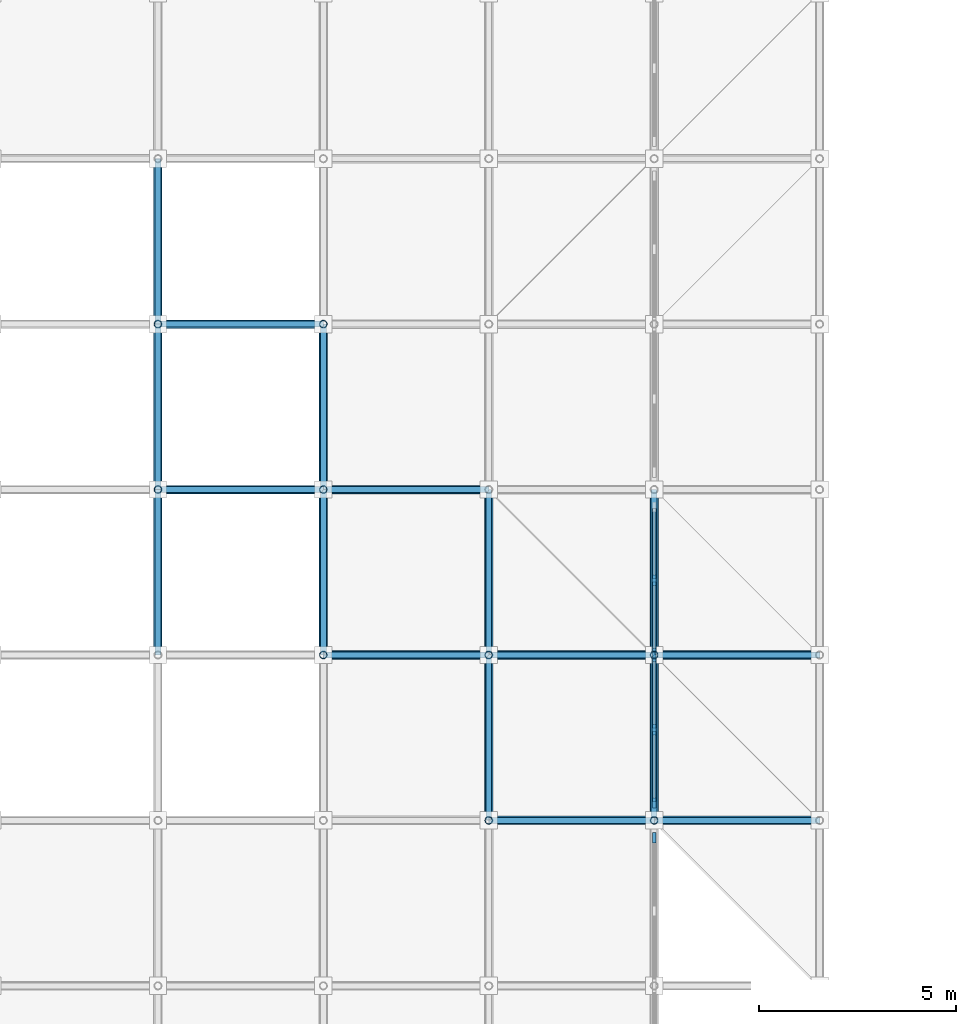
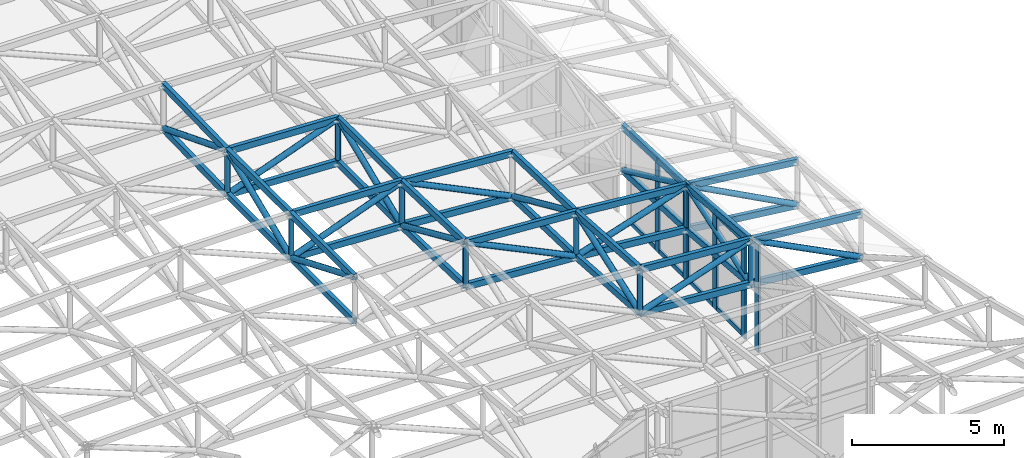
# One storey, part 24 of 132: 74 members, 3 elements without a shape of their own.
"""IFC4 building model written with IfcOpenShell, lengths in metres."""

from ifc_helpers import new_model, si_unit, direction, frame, origin, origin_2d, place, context, subcontext, project, spatial, rectangle, hollow_rectangle, hollow_circle, extrude, material, material_profile, profile_set, type_object, element, aggregate, save


model = new_model("IFC4")

# Units and contexts
model_context = context("Model", 3, precision=1e-05, world=origin(), true_north=direction((0.0, 1.0)))
body_context = subcontext(model_context, "Body", "Model", "MODEL_VIEW")
ifc_project = project(units=[si_unit("LENGTHUNIT", "METRE"), si_unit("AREAUNIT", "SQUARE_METRE"), si_unit("VOLUMEUNIT", "CUBIC_METRE"), si_unit("PLANEANGLEUNIT", "RADIAN"), si_unit("MASSUNIT", "GRAM", prefix="KILO")], contexts=[model_context])

# Site, building, storey
site_placement = place(None, origin())
site = spatial("IfcSite", under=ifc_project, at=site_placement, CompositionType="ELEMENT")
building_placement = place(site_placement, origin())
building = spatial("IfcBuilding", under=site, at=building_placement, Name="Cumbredor Promenade Congress Hotel", CompositionType="ELEMENT")
storey_placement = place(building_placement, frame((0.0, 0.0, 7.56005859375)))
storey = spatial("IfcBuildingStorey", under=building, at=storey_placement, Name="L02", CompositionType="ELEMENT", Elevation=7.56005859375)

# Curtain wall, member
ifc_material_1 = material(Name="Thermally broken anodized aluminium and low-E glass", Category="aluminium")
curtain_wall_type = type_object("IfcCurtainWallType", Name="Stepped Pavilion Clerestory Curtain Wall CW-06", PredefinedType="NOTDEFINED", material=ifc_material_1)
curtain_wall_1_placement = place(storey_placement, origin())
curtain_wall_1 = element("IfcCurtainWall", 1, at=curtain_wall_1_placement, inside=storey, type_object=curtain_wall_type, Name="Thermal Spa and Hydrotherapy Pavilion E Glazed Clerestory 2", PredefinedType="NOTDEFINED")
ifc_material_2 = material(Name="Thermally broken anodized aluminium", Category="aluminium")
ifc_material_profile_1 = material_profile(ifc_material_2, rectangle(XDim=0.0849609375, YDim=0.260009765625, at=origin_2d()), Name="ALU MULLION CLERESTORY 85x260")
ifc_profile_set_1 = profile_set([ifc_material_profile_1], Name="Thermally broken anodized aluminium")
member_type_1 = type_object("IfcMemberType", Name="Curtain Wall Mullion ML-04", PredefinedType="MULLION", material=ifc_profile_set_1)
member_1_placement = place(storey_placement, frame((109.199951171875, 16.360107421875, -0.01806640625), z_axis=(0.0, 0.0, 1.0), x_axis=(1.0, 0.0, 0.0)))
member_1 = element("IfcMember", 2, at=member_1_placement, type_object=member_type_1, Name="Thermal Spa and Hydrotherapy Pavilion E Glazed Clerestory 2 Mullion 3", PredefinedType="MULLION", context=body_context, shape_type="SweptSolid", body=[
    extrude(rectangle(XDim=0.0849609375, YDim=0.260009765625, at=origin_2d()), origin(), (0.0, 0.0, 1.0), 4.318359375),
])
aggregate(curtain_wall_1, [member_1])

# Curtain wall, members
curtain_wall_2_placement = place(storey_placement, origin())
curtain_wall_2 = element("IfcCurtainWall", 3, at=curtain_wall_2_placement, inside=storey, type_object=curtain_wall_type, Name="Thermal Spa and Hydrotherapy Pavilion E Glazed Clerestory 3", PredefinedType="NOTDEFINED")
member_2_placement = place(storey_placement, frame((109.199951171875, 17.239990234375, -0.01806640625), z_axis=(0.0, 0.0, 1.0), x_axis=(1.0, 0.0, 0.0)))
member_2 = element("IfcMember", 4, at=member_2_placement, type_object=member_type_1, Name="Thermal Spa and Hydrotherapy Pavilion E Glazed Clerestory 3 Mullion 1", PredefinedType="MULLION", context=body_context, shape_type="SweptSolid", body=[
    extrude(rectangle(XDim=0.0849609375, YDim=0.260009765625, at=origin_2d()), origin(), (0.0, 0.0, 1.0), 3.966552734375),
])
member_3_placement = place(storey_placement, frame((109.199951171875, 19.10009765625, -0.01806640625), z_axis=(0.0, 0.0, 1.0), x_axis=(1.0, 0.0, 0.0)))
member_3 = element("IfcMember", 5, at=member_3_placement, type_object=member_type_1, Name="Thermal Spa and Hydrotherapy Pavilion E Glazed Clerestory 3 Mullion 2", PredefinedType="MULLION", context=body_context, shape_type="SweptSolid", body=[
    extrude(rectangle(XDim=0.0849609375, YDim=0.260009765625, at=origin_2d()), origin(), (0.0, 0.0, 1.0), 3.966552734375),
])
member_4_placement = place(storey_placement, frame((109.199951171875, 20.9599609375, -0.01806640625), z_axis=(0.0, 0.0, 1.0), x_axis=(1.0, 0.0, 0.0)))
member_4 = element("IfcMember", 6, at=member_4_placement, type_object=member_type_1, Name="Thermal Spa and Hydrotherapy Pavilion E Glazed Clerestory 3 Mullion 3", PredefinedType="MULLION", context=body_context, shape_type="SweptSolid", body=[
    extrude(rectangle(XDim=0.0849609375, YDim=0.260009765625, at=origin_2d()), origin(), (0.0, 0.0, 1.0), 3.966552734375),
])

curtain_wall_3_placement = place(storey_placement, origin())
curtain_wall_3 = element("IfcCurtainWall", 7, at=curtain_wall_3_placement, inside=storey, type_object=curtain_wall_type, Name="Thermal Spa and Hydrotherapy Pavilion E Glazed Clerestory 4", PredefinedType="NOTDEFINED")
member_5_placement = place(storey_placement, frame((109.199951171875, 21.0400390625, -0.01806640625), z_axis=(0.0, 0.0, 1.0), x_axis=(1.0, 0.0, 0.0)))
member_5 = element("IfcMember", 8, at=member_5_placement, type_object=member_type_1, Name="Thermal Spa and Hydrotherapy Pavilion E Glazed Clerestory 4 Mullion 1", PredefinedType="MULLION", context=body_context, shape_type="SweptSolid", body=[
    extrude(rectangle(XDim=0.0849609375, YDim=0.260009765625, at=origin_2d()), origin(), (0.0, 0.0, 1.0), 3.790771484375),
])
member_6_placement = place(storey_placement, frame((109.199951171875, 22.89990234375, -0.01806640625), z_axis=(0.0, 0.0, 1.0), x_axis=(1.0, 0.0, 0.0)))
member_6 = element("IfcMember", 9, at=member_6_placement, type_object=member_type_1, Name="Thermal Spa and Hydrotherapy Pavilion E Glazed Clerestory 4 Mullion 2", PredefinedType="MULLION", context=body_context, shape_type="SweptSolid", body=[
    extrude(rectangle(XDim=0.0849609375, YDim=0.260009765625, at=origin_2d()), origin(), (0.0, 0.0, 1.0), 3.790771484375),
])

# Member
ifc_material_profile_2 = material_profile(ifc_material_2, rectangle(XDim=0.080078125, YDim=0.179931640625, at=origin_2d()), Name="ALU TRANSOM 80x180")
ifc_profile_set_2 = profile_set([ifc_material_profile_2], Name="Thermally broken anodized aluminium")
member_type_2 = type_object("IfcMemberType", Name="Curtain Wall Transom TR-03", PredefinedType="USERDEFINED", material=ifc_profile_set_2)
member_7_placement = place(storey_placement, frame((109.199951171875, 17.282470703125, 0.079833984375), z_axis=(0.0, 1.0, 0.0), x_axis=(-1.0, 0.0, 0.0)))
member_7 = element("IfcMember", 10, at=member_7_placement, type_object=member_type_2, Name="Thermal Spa and Hydrotherapy Pavilion E Glazed Clerestory 3 Transom 1.1", ObjectType="TRANSOM", PredefinedType="USERDEFINED", context=body_context, shape_type="SweptSolid", body=[
    extrude(rectangle(XDim=0.080078125, YDim=0.179931640625, at=origin_2d()), origin(), (0.0, 0.0, 1.0), 1.775146484375),
])

member_8_placement = place(storey_placement, frame((109.199951171875, 17.282470703125, 3.849853515625), z_axis=(0.0, 1.0, 0.0), x_axis=(-1.0, 0.0, 0.0)))
member_8 = element("IfcMember", 11, at=member_8_placement, type_object=member_type_2, Name="Thermal Spa and Hydrotherapy Pavilion E Glazed Clerestory 3 Transom 1.2", ObjectType="TRANSOM", PredefinedType="USERDEFINED", context=body_context, shape_type="SweptSolid", body=[
    extrude(rectangle(XDim=0.080078125, YDim=0.179931640625, at=origin_2d()), origin(), (0.0, 0.0, 1.0), 1.775146484375),
])

member_9_placement = place(storey_placement, frame((109.199951171875, 19.142578125, 0.079833984375), z_axis=(0.0, 1.0, 0.0), x_axis=(-1.0, 0.0, 0.0)))
member_9 = element("IfcMember", 12, at=member_9_placement, type_object=member_type_2, Name="Thermal Spa and Hydrotherapy Pavilion E Glazed Clerestory 3 Transom 2.1", ObjectType="TRANSOM", PredefinedType="USERDEFINED", context=body_context, shape_type="SweptSolid", body=[
    extrude(rectangle(XDim=0.080078125, YDim=0.179931640625, at=origin_2d()), origin(), (0.0, 0.0, 1.0), 1.77490234375),
])

member_10_placement = place(storey_placement, frame((109.199951171875, 19.142578125, 3.849853515625), z_axis=(0.0, 1.0, 0.0), x_axis=(-1.0, 0.0, 0.0)))
member_10 = element("IfcMember", 13, at=member_10_placement, type_object=member_type_2, Name="Thermal Spa and Hydrotherapy Pavilion E Glazed Clerestory 3 Transom 2.2", ObjectType="TRANSOM", PredefinedType="USERDEFINED", context=body_context, shape_type="SweptSolid", body=[
    extrude(rectangle(XDim=0.080078125, YDim=0.179931640625, at=origin_2d()), origin(), (0.0, 0.0, 1.0), 1.77490234375),
])

aggregate(curtain_wall_2, [member_2, member_3, member_4, member_7, member_8, member_9, member_10])

member_11_placement = place(storey_placement, frame((109.199951171875, 21.08251953125, 0.079833984375), z_axis=(0.0, 1.0, 0.0), x_axis=(-1.0, 0.0, 0.0)))
member_11 = element("IfcMember", 14, at=member_11_placement, type_object=member_type_2, Name="Thermal Spa and Hydrotherapy Pavilion E Glazed Clerestory 4 Transom 1.1", ObjectType="TRANSOM", PredefinedType="USERDEFINED", context=body_context, shape_type="SweptSolid", body=[
    extrude(rectangle(XDim=0.080078125, YDim=0.179931640625, at=origin_2d()), origin(), (0.0, 0.0, 1.0), 1.77490234375),
])

member_12_placement = place(storey_placement, frame((109.199951171875, 21.08251953125, 3.669921875), z_axis=(0.0, 1.0, 0.0), x_axis=(-1.0, 0.0, 0.0)))
member_12 = element("IfcMember", 15, at=member_12_placement, type_object=member_type_2, Name="Thermal Spa and Hydrotherapy Pavilion E Glazed Clerestory 4 Transom 1.2", ObjectType="TRANSOM", PredefinedType="USERDEFINED", context=body_context, shape_type="SweptSolid", body=[
    extrude(rectangle(XDim=0.080078125, YDim=0.179931640625, at=origin_2d()), origin(), (0.0, 0.0, 1.0), 1.77490234375),
])

member_13_placement = place(storey_placement, frame((109.199951171875, 22.9423828125, 0.079833984375), z_axis=(0.0, 1.0, 0.0), x_axis=(-1.0, 0.0, 0.0)))
member_13 = element("IfcMember", 16, at=member_13_placement, type_object=member_type_2, Name="Thermal Spa and Hydrotherapy Pavilion E Glazed Clerestory 4 Transom 2.1", ObjectType="TRANSOM", PredefinedType="USERDEFINED", context=body_context, shape_type="SweptSolid", body=[
    extrude(rectangle(XDim=0.080078125, YDim=0.179931640625, at=origin_2d()), origin(), (0.0, 0.0, 1.0), 1.775146484375),
])

member_14_placement = place(storey_placement, frame((109.199951171875, 22.9423828125, 3.669921875), z_axis=(0.0, 1.0, 0.0), x_axis=(-1.0, 0.0, 0.0)))
member_14 = element("IfcMember", 17, at=member_14_placement, type_object=member_type_2, Name="Thermal Spa and Hydrotherapy Pavilion E Glazed Clerestory 4 Transom 2.2", ObjectType="TRANSOM", PredefinedType="USERDEFINED", context=body_context, shape_type="SweptSolid", body=[
    extrude(rectangle(XDim=0.080078125, YDim=0.179931640625, at=origin_2d()), origin(), (0.0, 0.0, 1.0), 1.775146484375),
])

aggregate(curtain_wall_3, [member_5, member_6, member_11, member_12, member_13, member_14])

# Members
ifc_material_3 = material(Name="Steel ASTM A500 Grade C", Category="steel")
ifc_material_profile_3 = material_profile(ifc_material_3, hollow_rectangle(XDim=0.14990234375, YDim=0.25, WallThickness=0.012451171875, at=origin_2d()), Name="HSS 250x150x12.5")
ifc_profile_set_3 = profile_set([ifc_material_profile_3], Name="Steel ASTM A500 Grade C")
member_type_3 = type_object("IfcMemberType", Name="Spa Roof Space Frame Chord", PredefinedType="CHORD", material=ifc_profile_set_3)
for number, where, z_axis, x_axis, name in (
    (18, (105.0, 16.800048828125, 4.458984375), (0.997294578596, 0.0, -0.073508662772), (0.0, 1.0, 0.0), "Thermal Spa and Hydrotherapy Pavilion X Top Chord 9.5"),
    (19, (105.0, 16.800048828125, 2.708984375), (0.997294578596, 0.0, -0.073508662772), (0.0, 1.0, 0.0), "Thermal Spa and Hydrotherapy Pavilion X Bottom Chord 9.5"),
):
    element("IfcMember", number, at=place(storey_placement, frame(where, z_axis=z_axis, x_axis=x_axis)), inside=storey, type_object=member_type_3, Name=name, PredefinedType="CHORD", context=body_context, shape_type="SweptSolid", body=[
        extrude(hollow_rectangle(XDim=0.14990234375, YDim=0.25, WallThickness=0.012451171875, at=origin_2d()), origin(), (0.0, 0.0, 1.0), 4.21142578125),
    ])
for number, where, z_axis, x_axis, name in (
    (20, (109.199951171875, 16.800048828125, 4.1494140625), (0.99557909429, 0.0, -0.093926923794), (0.0, 1.0, 0.0), "Thermal Spa and Hydrotherapy Pavilion X Top Chord 10.5"),
    (21, (109.199951171875, 16.800048828125, 2.3994140625), (0.99557909429, 0.0, -0.093926923794), (0.0, 1.0, 0.0), "Thermal Spa and Hydrotherapy Pavilion X Bottom Chord 10.5"),
):
    element("IfcMember", number, at=place(storey_placement, frame(where, z_axis=z_axis, x_axis=x_axis)), inside=storey, type_object=member_type_3, Name=name, PredefinedType="CHORD", context=body_context, shape_type="SweptSolid", body=[
        extrude(hollow_rectangle(XDim=0.14990234375, YDim=0.25, WallThickness=0.012451171875, at=origin_2d()), origin(), (0.0, 0.0, 1.0), 4.218505859375),
    ])
for number, where, z_axis, x_axis, name in (
    (22, (100.800048828125, 21.0, 4.450439453125), (0.997906149499, 0.0, -0.064678565174), (0.0, 1.0, 0.0), "Thermal Spa and Hydrotherapy Pavilion X Top Chord 8.6"),
    (23, (100.800048828125, 21.0, 2.700439453125), (0.997906149499, 0.0, -0.064678565174), (0.0, 1.0, 0.0), "Thermal Spa and Hydrotherapy Pavilion X Bottom Chord 8.6"),
):
    element("IfcMember", number, at=place(storey_placement, frame(where, z_axis=z_axis, x_axis=x_axis)), inside=storey, type_object=member_type_3, Name=name, PredefinedType="CHORD", context=body_context, shape_type="SweptSolid", body=[
        extrude(hollow_rectangle(XDim=0.14990234375, YDim=0.25, WallThickness=0.012451171875, at=origin_2d()), origin(), (0.0, 0.0, 1.0), 4.208740234375),
    ])
for number, where, z_axis, x_axis, name in (
    (24, (105.0, 21.0, 4.17822265625), (0.995913585681, 0.0, -0.090311294173), (0.0, 1.0, 0.0), "Thermal Spa and Hydrotherapy Pavilion X Top Chord 9.6"),
    (25, (105.0, 21.0, 2.42822265625), (0.995913585681, 0.0, -0.090311294173), (0.0, 1.0, 0.0), "Thermal Spa and Hydrotherapy Pavilion X Bottom Chord 9.6"),
):
    element("IfcMember", number, at=place(storey_placement, frame(where, z_axis=z_axis, x_axis=x_axis)), inside=storey, type_object=member_type_3, Name=name, PredefinedType="CHORD", context=body_context, shape_type="SweptSolid", body=[
        extrude(hollow_rectangle(XDim=0.14990234375, YDim=0.25, WallThickness=0.012451171875, at=origin_2d()), origin(), (0.0, 0.0, 1.0), 4.21728515625),
    ])
for number, where, z_axis, x_axis, name in (
    (26, (109.199951171875, 21.0, 3.79736328125), (0.993316312683, 0.0, -0.11542401378), (0.0, 1.0, 0.0), "Thermal Spa and Hydrotherapy Pavilion X Top Chord 10.6"),
    (27, (109.199951171875, 21.0, 2.04736328125), (0.993316312683, 0.0, -0.11542401378), (0.0, 1.0, 0.0), "Thermal Spa and Hydrotherapy Pavilion X Bottom Chord 10.6"),
):
    element("IfcMember", number, at=place(storey_placement, frame(where, z_axis=z_axis, x_axis=x_axis)), inside=storey, type_object=member_type_3, Name=name, PredefinedType="CHORD", context=body_context, shape_type="SweptSolid", body=[
        extrude(hollow_rectangle(XDim=0.14990234375, YDim=0.25, WallThickness=0.012451171875, at=origin_2d()), origin(), (0.0, 0.0, 1.0), 4.228271484375),
    ])
for number, where, z_axis, x_axis, name in (
    (28, (96.60009765625, 25.199951171875, 4.51416015625), (0.999098410723, 0.0, -0.04245427764), (0.0, 1.0, 0.0), "Thermal Spa and Hydrotherapy Pavilion X Top Chord 7.7"),
    (29, (96.60009765625, 25.199951171875, 2.76416015625), (0.999098410723, 0.0, -0.04245427764), (0.0, 1.0, 0.0), "Thermal Spa and Hydrotherapy Pavilion X Bottom Chord 7.7"),
):
    element("IfcMember", number, at=place(storey_placement, frame(where, z_axis=z_axis, x_axis=x_axis)), inside=storey, type_object=member_type_3, Name=name, PredefinedType="CHORD", context=body_context, shape_type="SweptSolid", body=[
        extrude(hollow_rectangle(XDim=0.14990234375, YDim=0.25, WallThickness=0.012451171875, at=origin_2d()), origin(), (0.0, 0.0, 1.0), 4.203857421875),
    ])
for number, where, z_axis, x_axis, name in (
    (30, (100.800048828125, 25.199951171875, 4.335693359375), (0.997498863978, 0.0, -0.070682503935), (0.0, 1.0, 0.0), "Thermal Spa and Hydrotherapy Pavilion X Top Chord 8.7"),
    (31, (100.800048828125, 25.199951171875, 2.585693359375), (0.997498863978, 0.0, -0.070682503935), (0.0, 1.0, 0.0), "Thermal Spa and Hydrotherapy Pavilion X Bottom Chord 8.7"),
):
    element("IfcMember", number, at=place(storey_placement, frame(where, z_axis=z_axis, x_axis=x_axis)), inside=storey, type_object=member_type_3, Name=name, PredefinedType="CHORD", context=body_context, shape_type="SweptSolid", body=[
        extrude(hollow_rectangle(XDim=0.14990234375, YDim=0.25, WallThickness=0.012451171875, at=origin_2d()), origin(), (0.0, 0.0, 1.0), 4.21044921875),
    ])
for number, where, z_axis, x_axis, name in (
    (32, (96.60009765625, 29.39990234375, 4.51416015625), (0.999098410723, 0.0, -0.04245427764), (0.0, 1.0, 0.0), "Thermal Spa and Hydrotherapy Pavilion X Top Chord 7.8"),
    (33, (96.60009765625, 29.39990234375, 2.76416015625), (0.999098410723, 0.0, -0.04245427764), (0.0, 1.0, 0.0), "Thermal Spa and Hydrotherapy Pavilion X Bottom Chord 7.8"),
):
    element("IfcMember", number, at=place(storey_placement, frame(where, z_axis=z_axis, x_axis=x_axis)), inside=storey, type_object=member_type_3, Name=name, PredefinedType="CHORD", context=body_context, shape_type="SweptSolid", body=[
        extrude(hollow_rectangle(XDim=0.14990234375, YDim=0.25, WallThickness=0.012451171875, at=origin_2d()), origin(), (0.0, 0.0, 1.0), 4.203857421875),
    ])
for number, where, z_axis, x_axis, name in (
    (34, (96.60009765625, 21.0, 4.513671875), (0.0, 0.999999993242, 0.000116258791), (-1.0, 0.0, 0.0), "Thermal Spa and Hydrotherapy Pavilion Y Top Chord 7.6"),
    (35, (96.60009765625, 21.0, 2.763671875), (0.0, 0.999999993242, 0.000116258791), (-1.0, 0.0, 0.0), "Thermal Spa and Hydrotherapy Pavilion Y Bottom Chord 7.6"),
    (36, (96.60009765625, 25.199951171875, 4.51416015625), (0.0, 1.0, 0.0), (-1.0, 0.0, 0.0), "Thermal Spa and Hydrotherapy Pavilion Y Top Chord 7.7"),
    (37, (96.60009765625, 25.199951171875, 2.76416015625), (0.0, 1.0, 0.0), (-1.0, 0.0, 0.0), "Thermal Spa and Hydrotherapy Pavilion Y Bottom Chord 7.7"),
):
    element("IfcMember", number, at=place(storey_placement, frame(where, z_axis=z_axis, x_axis=x_axis)), inside=storey, type_object=member_type_3, Name=name, PredefinedType="CHORD", context=body_context, shape_type="SweptSolid", body=[
        extrude(hollow_rectangle(XDim=0.14990234375, YDim=0.25, WallThickness=0.012451171875, at=origin_2d()), origin(), (0.0, 0.0, 1.0), 4.199951171875),
    ])
for number, where, z_axis, x_axis, name in (
    (38, (96.60009765625, 29.39990234375, 4.51416015625), (0.0, 0.999720283744, 0.023650671674), (-1.0, 0.0, 0.0), "Thermal Spa and Hydrotherapy Pavilion Y Top Chord 7.8"),
    (39, (96.60009765625, 29.39990234375, 2.76416015625), (0.0, 0.999720283744, 0.023650671674), (-1.0, 0.0, 0.0), "Thermal Spa and Hydrotherapy Pavilion Y Bottom Chord 7.8"),
    (40, (100.800048828125, 21.0, 4.450439453125), (0.0, 0.999626995305, -0.027310625344), (-1.0, 0.0, 0.0), "Thermal Spa and Hydrotherapy Pavilion Y Top Chord 8.6"),
    (41, (100.800048828125, 21.0, 2.700439453125), (0.0, 0.999626995305, -0.027310625344), (-1.0, 0.0, 0.0), "Thermal Spa and Hydrotherapy Pavilion Y Bottom Chord 8.6"),
):
    element("IfcMember", number, at=place(storey_placement, frame(where, z_axis=z_axis, x_axis=x_axis)), inside=storey, type_object=member_type_3, Name=name, PredefinedType="CHORD", context=body_context, shape_type="SweptSolid", body=[
        extrude(hollow_rectangle(XDim=0.14990234375, YDim=0.25, WallThickness=0.012451171875, at=origin_2d()), origin(), (0.0, 0.0, 1.0), 4.201416015625),
    ])
for number, where, z_axis, x_axis, name in (
    (42, (100.800048828125, 25.199951171875, 4.335693359375), (0.0, 1.0, 0.0), (-1.0, 0.0, 0.0), "Thermal Spa and Hydrotherapy Pavilion Y Top Chord 8.7"),
    (43, (100.800048828125, 25.199951171875, 2.585693359375), (0.0, 1.0, 0.0), (-1.0, 0.0, 0.0), "Thermal Spa and Hydrotherapy Pavilion Y Bottom Chord 8.7"),
):
    element("IfcMember", number, at=place(storey_placement, frame(where, z_axis=z_axis, x_axis=x_axis)), inside=storey, type_object=member_type_3, Name=name, PredefinedType="CHORD", context=body_context, shape_type="SweptSolid", body=[
        extrude(hollow_rectangle(XDim=0.14990234375, YDim=0.25, WallThickness=0.012451171875, at=origin_2d()), origin(), (0.0, 0.0, 1.0), 4.199951171875),
    ])
for number, where, z_axis, x_axis, name in (
    (44, (105.0, 16.800048828125, 4.458984375), (0.0, 0.997773079517, -0.066699938467), (-1.0, 0.0, 0.0), "Thermal Spa and Hydrotherapy Pavilion Y Top Chord 9.5"),
    (45, (105.0, 16.800048828125, 2.708984375), (0.0, 0.997773079517, -0.066699938467), (-1.0, 0.0, 0.0), "Thermal Spa and Hydrotherapy Pavilion Y Bottom Chord 9.5"),
):
    element("IfcMember", number, at=place(storey_placement, frame(where, z_axis=z_axis, x_axis=x_axis)), inside=storey, type_object=member_type_3, Name=name, PredefinedType="CHORD", context=body_context, shape_type="SweptSolid", body=[
        extrude(hollow_rectangle(XDim=0.14990234375, YDim=0.25, WallThickness=0.012451171875, at=origin_2d()), origin(), (0.0, 0.0, 1.0), 4.209228515625),
    ])
for number, where, z_axis, x_axis, name in (
    (46, (105.0, 21.0, 4.17822265625), (0.0, 0.999443810267, -0.033347715346), (-1.0, 0.0, 0.0), "Thermal Spa and Hydrotherapy Pavilion Y Top Chord 9.6"),
    (47, (105.0, 21.0, 2.42822265625), (0.0, 0.999443810267, -0.033347715346), (-1.0, 0.0, 0.0), "Thermal Spa and Hydrotherapy Pavilion Y Bottom Chord 9.6"),
):
    element("IfcMember", number, at=place(storey_placement, frame(where, z_axis=z_axis, x_axis=x_axis)), inside=storey, type_object=member_type_3, Name=name, PredefinedType="CHORD", context=body_context, shape_type="SweptSolid", body=[
        extrude(hollow_rectangle(XDim=0.14990234375, YDim=0.25, WallThickness=0.012451171875, at=origin_2d()), origin(), (0.0, 0.0, 1.0), 4.202392578125),
    ])
for number, where, z_axis, x_axis, name in (
    (48, (109.199951171875, 16.800048828125, 4.1494140625), (0.0, 0.996505291992, -0.08352965361), (-1.0, 0.0, 0.0), "Thermal Spa and Hydrotherapy Pavilion Y Top Chord 10.5"),
    (49, (109.199951171875, 16.800048828125, 2.3994140625), (0.0, 0.996505291992, -0.08352965361), (-1.0, 0.0, 0.0), "Thermal Spa and Hydrotherapy Pavilion Y Bottom Chord 10.5"),
):
    element("IfcMember", number, at=place(storey_placement, frame(where, z_axis=z_axis, x_axis=x_axis)), inside=storey, type_object=member_type_3, Name=name, PredefinedType="CHORD", context=body_context, shape_type="SweptSolid", body=[
        extrude(hollow_rectangle(XDim=0.14990234375, YDim=0.25, WallThickness=0.012451171875, at=origin_2d()), origin(), (0.0, 0.0, 1.0), 4.214599609375),
    ])
for number, where, z_axis, x_axis, name in (
    (50, (109.199951171875, 21.0, 3.79736328125), (0.0, 0.999127730104, -0.041758579198), (-1.0, 0.0, 0.0), "Thermal Spa and Hydrotherapy Pavilion Y Top Chord 10.6"),
    (51, (109.199951171875, 21.0, 2.04736328125), (0.0, 0.999127730104, -0.041758579198), (-1.0, 0.0, 0.0), "Thermal Spa and Hydrotherapy Pavilion Y Bottom Chord 10.6"),
):
    element("IfcMember", number, at=place(storey_placement, frame(where, z_axis=z_axis, x_axis=x_axis)), inside=storey, type_object=member_type_3, Name=name, PredefinedType="CHORD", context=body_context, shape_type="SweptSolid", body=[
        extrude(hollow_rectangle(XDim=0.14990234375, YDim=0.25, WallThickness=0.012451171875, at=origin_2d()), origin(), (0.0, 0.0, 1.0), 4.20361328125),
    ])
ifc_material_profile_4 = material_profile(ifc_material_3, hollow_circle(Radius=0.109619140625, WallThickness=0.012451171875, at=origin_2d()), Name="CHS 219.1x12.5")
ifc_profile_set_4 = profile_set([ifc_material_profile_4], Name="Steel ASTM A500 Grade C")
member_type_4 = type_object("IfcMemberType", Name="Space Frame Web Diagonal D1", PredefinedType="BRACE", material=ifc_profile_set_4)
member_15_placement = place(storey_placement, frame((105.0, 16.800048828125, 2.708984375), z_axis=(0.945915095178, 0.0, 0.324414291784), x_axis=(0.0, 1.0, 0.0)))
element("IfcMember", 52, at=member_15_placement, inside=storey, type_object=member_type_4, Name="Thermal Spa and Hydrotherapy Pavilion X Web Diagonal 9.5", PredefinedType="BRACE", context=body_context, shape_type="SweptSolid", body=[
    extrude(hollow_circle(Radius=0.109619140625, WallThickness=0.012451171875, at=origin_2d()), origin(), (0.0, 0.0, 1.0), 4.440185546875),
])
member_16_placement = place(storey_placement, frame((109.199951171875, 16.800048828125, 4.1494140625), z_axis=(0.890469174417, 0.0, -0.455043568697), x_axis=(0.0, 1.0, 0.0)))
element("IfcMember", 53, at=member_16_placement, inside=storey, type_object=member_type_4, Name="Thermal Spa and Hydrotherapy Pavilion X Web Diagonal 10.5", PredefinedType="BRACE", context=body_context, shape_type="SweptSolid", body=[
    extrude(hollow_circle(Radius=0.109619140625, WallThickness=0.012451171875, at=origin_2d()), origin(), (0.0, 0.0, 1.0), 4.716552734375),
])
member_17_placement = place(storey_placement, frame((100.800048828125, 21.0, 4.450439453125), z_axis=(0.90100015334, 0.0, -0.433818768245), x_axis=(0.0, 1.0, 0.0)))
element("IfcMember", 54, at=member_17_placement, inside=storey, type_object=member_type_4, Name="Thermal Spa and Hydrotherapy Pavilion X Web Diagonal 8.6", PredefinedType="BRACE", context=body_context, shape_type="SweptSolid", body=[
    extrude(hollow_circle(Radius=0.109619140625, WallThickness=0.012451171875, at=origin_2d()), origin(), (0.0, 0.0, 1.0), 4.661376953125),
])
member_18_placement = place(storey_placement, frame((105.0, 21.0, 2.42822265625), z_axis=(0.950757103344, 0.0, 0.309936978176), x_axis=(0.0, 1.0, 0.0)))
element("IfcMember", 55, at=member_18_placement, inside=storey, type_object=member_type_4, Name="Thermal Spa and Hydrotherapy Pavilion X Web Diagonal 9.6", PredefinedType="BRACE", context=body_context, shape_type="SweptSolid", body=[
    extrude(hollow_circle(Radius=0.109619140625, WallThickness=0.012451171875, at=origin_2d()), origin(), (0.0, 0.0, 1.0), 4.41748046875),
])
member_19_placement = place(storey_placement, frame((109.199951171875, 21.0, 3.79736328125), z_axis=(0.882521874047, 0.0, -0.470271349148), x_axis=(0.0, 1.0, 0.0)))
element("IfcMember", 56, at=member_19_placement, inside=storey, type_object=member_type_4, Name="Thermal Spa and Hydrotherapy Pavilion X Web Diagonal 10.6", PredefinedType="BRACE", context=body_context, shape_type="SweptSolid", body=[
    extrude(hollow_circle(Radius=0.109619140625, WallThickness=0.012451171875, at=origin_2d()), origin(), (0.0, 0.0, 1.0), 4.759033203125),
])
member_20_placement = place(storey_placement, frame((96.60009765625, 25.199951171875, 2.76416015625), z_axis=(0.93658175887, 0.0, 0.350449153162), x_axis=(0.0, 1.0, 0.0)))
element("IfcMember", 57, at=member_20_placement, inside=storey, type_object=member_type_4, Name="Thermal Spa and Hydrotherapy Pavilion X Web Diagonal 7.7", PredefinedType="BRACE", context=body_context, shape_type="SweptSolid", body=[
    extrude(hollow_circle(Radius=0.109619140625, WallThickness=0.012451171875, at=origin_2d()), origin(), (0.0, 0.0, 1.0), 4.484375),
])
member_21_placement = place(storey_placement, frame((100.800048828125, 25.199951171875, 4.335693359375), z_axis=(0.898865341957, 0.0, -0.438224938848), x_axis=(0.0, 1.0, 0.0)))
element("IfcMember", 58, at=member_21_placement, inside=storey, type_object=member_type_4, Name="Thermal Spa and Hydrotherapy Pavilion X Web Diagonal 8.7", PredefinedType="BRACE", context=body_context, shape_type="SweptSolid", body=[
    extrude(hollow_circle(Radius=0.109619140625, WallThickness=0.012451171875, at=origin_2d()), origin(), (0.0, 0.0, 1.0), 4.672607421875),
])
member_22_placement = place(storey_placement, frame((96.60009765625, 29.39990234375, 2.76416015625), z_axis=(0.93658175887, 0.0, 0.350449153162), x_axis=(0.0, 1.0, 0.0)))
element("IfcMember", 59, at=member_22_placement, inside=storey, type_object=member_type_4, Name="Thermal Spa and Hydrotherapy Pavilion X Web Diagonal 7.8", PredefinedType="BRACE", context=body_context, shape_type="SweptSolid", body=[
    extrude(hollow_circle(Radius=0.109619140625, WallThickness=0.012451171875, at=origin_2d()), origin(), (0.0, 0.0, 1.0), 4.484375),
])
member_23_placement = place(storey_placement, frame((96.60009765625, 21.0, 4.513671875), z_axis=(0.0, 0.923113433136, -0.384527748756), x_axis=(-1.0, 0.0, 0.0)))
element("IfcMember", 60, at=member_23_placement, inside=storey, type_object=member_type_4, Name="Thermal Spa and Hydrotherapy Pavilion Y Web Diagonal 7.6", PredefinedType="BRACE", context=body_context, shape_type="SweptSolid", body=[
    extrude(hollow_circle(Radius=0.109619140625, WallThickness=0.012451171875, at=origin_2d()), origin(), (0.0, 0.0, 1.0), 4.5498046875),
])
member_24_placement = place(storey_placement, frame((96.60009765625, 25.199951171875, 2.76416015625), z_axis=(0.0, 0.92307533556, 0.384619194634), x_axis=(-1.0, 0.0, 0.0)))
element("IfcMember", 61, at=member_24_placement, inside=storey, type_object=member_type_4, Name="Thermal Spa and Hydrotherapy Pavilion Y Web Diagonal 7.7", PredefinedType="BRACE", context=body_context, shape_type="SweptSolid", body=[
    extrude(hollow_circle(Radius=0.109619140625, WallThickness=0.012451171875, at=origin_2d()), origin(), (0.0, 0.0, 1.0), 4.550048828125),
])
member_25_placement = place(storey_placement, frame((96.60009765625, 29.39990234375, 4.51416015625), z_axis=(0.0, 0.930709404077, -0.365759490872), x_axis=(-1.0, 0.0, 0.0)))
element("IfcMember", 62, at=member_25_placement, inside=storey, type_object=member_type_4, Name="Thermal Spa and Hydrotherapy Pavilion Y Web Diagonal 7.8", PredefinedType="BRACE", context=body_context, shape_type="SweptSolid", body=[
    extrude(hollow_circle(Radius=0.109619140625, WallThickness=0.012451171875, at=origin_2d()), origin(), (0.0, 0.0, 1.0), 4.512939453125),
])
member_26_placement = place(storey_placement, frame((100.800048828125, 21.0, 4.450439453125), z_axis=(0.0, 0.913964843295, -0.405793377497), x_axis=(-1.0, 0.0, 0.0)))
element("IfcMember", 63, at=member_26_placement, inside=storey, type_object=member_type_4, Name="Thermal Spa and Hydrotherapy Pavilion Y Web Diagonal 8.6", PredefinedType="BRACE", context=body_context, shape_type="SweptSolid", body=[
    extrude(hollow_circle(Radius=0.109619140625, WallThickness=0.012451171875, at=origin_2d()), origin(), (0.0, 0.0, 1.0), 4.59521484375),
])
member_27_placement = place(storey_placement, frame((100.800048828125, 25.199951171875, 2.585693359375), z_axis=(0.0, 0.92307533556, 0.384619194634), x_axis=(-1.0, 0.0, 0.0)))
element("IfcMember", 64, at=member_27_placement, inside=storey, type_object=member_type_4, Name="Thermal Spa and Hydrotherapy Pavilion Y Web Diagonal 8.7", PredefinedType="BRACE", context=body_context, shape_type="SweptSolid", body=[
    extrude(hollow_circle(Radius=0.109619140625, WallThickness=0.012451171875, at=origin_2d()), origin(), (0.0, 0.0, 1.0), 4.550048828125),
])
member_28_placement = place(storey_placement, frame((105.0, 16.800048828125, 2.708984375), z_axis=(0.0, 0.943910525084, 0.330201333486), x_axis=(-1.0, 0.0, 0.0)))
element("IfcMember", 65, at=member_28_placement, inside=storey, type_object=member_type_4, Name="Thermal Spa and Hydrotherapy Pavilion Y Web Diagonal 9.5", PredefinedType="BRACE", context=body_context, shape_type="SweptSolid", body=[
    extrude(hollow_circle(Radius=0.109619140625, WallThickness=0.012451171875, at=origin_2d()), origin(), (0.0, 0.0, 1.0), 4.449462890625),
])
member_29_placement = place(storey_placement, frame((105.0, 21.0, 4.17822265625), z_axis=(0.0, 0.911908610718, -0.410393330476), x_axis=(-1.0, 0.0, 0.0)))
element("IfcMember", 66, at=member_29_placement, inside=storey, type_object=member_type_4, Name="Thermal Spa and Hydrotherapy Pavilion Y Web Diagonal 9.6", PredefinedType="BRACE", context=body_context, shape_type="SweptSolid", body=[
    extrude(hollow_circle(Radius=0.109619140625, WallThickness=0.012451171875, at=origin_2d()), origin(), (0.0, 0.0, 1.0), 4.605712890625),
])
member_30_placement = place(storey_placement, frame((109.199951171875, 16.800048828125, 2.3994140625), z_axis=(0.0, 0.948821093859, 0.315814077977), x_axis=(-1.0, 0.0, 0.0)))
element("IfcMember", 67, at=member_30_placement, inside=storey, type_object=member_type_4, Name="Thermal Spa and Hydrotherapy Pavilion Y Web Diagonal 10.5", PredefinedType="BRACE", context=body_context, shape_type="SweptSolid", body=[
    extrude(hollow_circle(Radius=0.109619140625, WallThickness=0.012451171875, at=origin_2d()), origin(), (0.0, 0.0, 1.0), 4.426513671875),
])
member_31_placement = place(storey_placement, frame((109.199951171875, 21.0, 3.79736328125), z_axis=(0.0, 0.909018951336, -0.416754779352), x_axis=(-1.0, 0.0, 0.0)))
element("IfcMember", 68, at=member_31_placement, inside=storey, type_object=member_type_4, Name="Thermal Spa and Hydrotherapy Pavilion Y Web Diagonal 10.6", PredefinedType="BRACE", context=body_context, shape_type="SweptSolid", body=[
    extrude(hollow_circle(Radius=0.109619140625, WallThickness=0.012451171875, at=origin_2d()), origin(), (0.0, 0.0, 1.0), 4.620361328125),
])
ifc_material_profile_5 = material_profile(ifc_material_3, hollow_circle(Radius=0.096923828125, WallThickness=0.010009765625, at=origin_2d()), Name="CHS 193.7x10")
ifc_profile_set_5 = profile_set([ifc_material_profile_5], Name="Steel ASTM A500 Grade C")
member_type_5 = type_object("IfcMemberType", Name="Space Frame Web Post P1", PredefinedType="BRACE", material=ifc_profile_set_5)
for number, where, z_axis, x_axis, name in (
    (69, (96.60009765625, 25.199951171875, 2.76416015625), (0.0, 0.0, 1.0), (1.0, 0.0, 0.0), "Thermal Spa and Hydrotherapy Pavilion Space Frame Web Post 7.7"),
    (70, (96.60009765625, 29.39990234375, 2.76416015625), (0.0, 0.0, 1.0), (1.0, 0.0, 0.0), "Thermal Spa and Hydrotherapy Pavilion Space Frame Web Post 7.8"),
    (71, (100.800048828125, 21.0, 2.700439453125), (0.0, 0.0, 1.0), (1.0, 0.0, 0.0), "Thermal Spa and Hydrotherapy Pavilion Space Frame Web Post 8.6"),
    (72, (100.800048828125, 25.199951171875, 2.585693359375), (0.0, 0.0, 1.0), (1.0, 0.0, 0.0), "Thermal Spa and Hydrotherapy Pavilion Space Frame Web Post 8.7"),
    (73, (100.800048828125, 29.39990234375, 2.585693359375), (0.0, 0.0, 1.0), (1.0, 0.0, 0.0), "Thermal Spa and Hydrotherapy Pavilion Space Frame Web Post 8.8"),
    (74, (105.0, 16.800048828125, 2.708984375), (0.0, 0.0, 1.0), (1.0, 0.0, 0.0), "Thermal Spa and Hydrotherapy Pavilion Space Frame Web Post 9.5"),
    (75, (105.0, 21.0, 2.42822265625), (0.0, 0.0, 1.0), (1.0, 0.0, 0.0), "Thermal Spa and Hydrotherapy Pavilion Space Frame Web Post 9.6"),
    (76, (109.199951171875, 16.800048828125, 2.3994140625), (0.0, 0.0, 1.0), (1.0, 0.0, 0.0), "Thermal Spa and Hydrotherapy Pavilion Space Frame Web Post 10.5"),
    (77, (109.199951171875, 21.0, 2.04736328125), (0.0, 0.0, 1.0), (1.0, 0.0, 0.0), "Thermal Spa and Hydrotherapy Pavilion Space Frame Web Post 10.6"),
):
    element("IfcMember", number, at=place(storey_placement, frame(where, z_axis=z_axis, x_axis=x_axis)), inside=storey, type_object=member_type_5, Name=name, PredefinedType="BRACE", context=body_context, shape_type="SweptSolid", body=[
        extrude(hollow_circle(Radius=0.096923828125, WallThickness=0.010009765625, at=origin_2d()), origin(), (0.0, 0.0, 1.0), 1.75),
    ])

save(model, "model.ifc")
